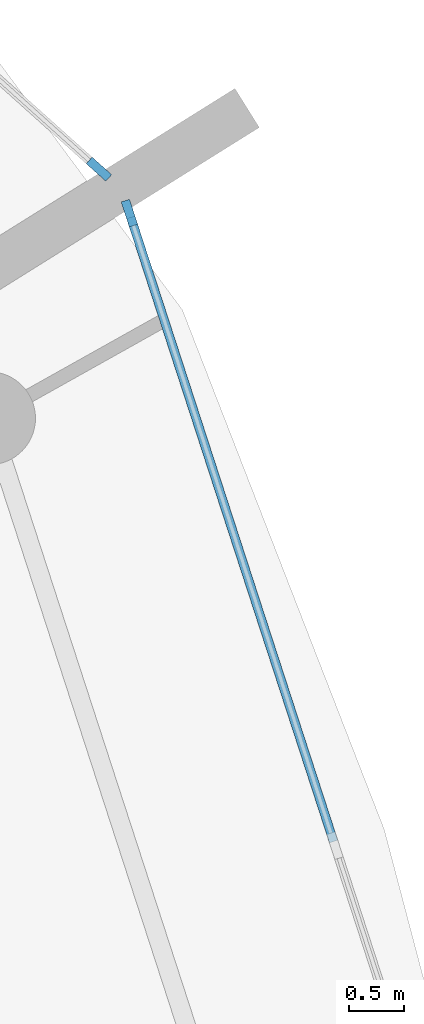
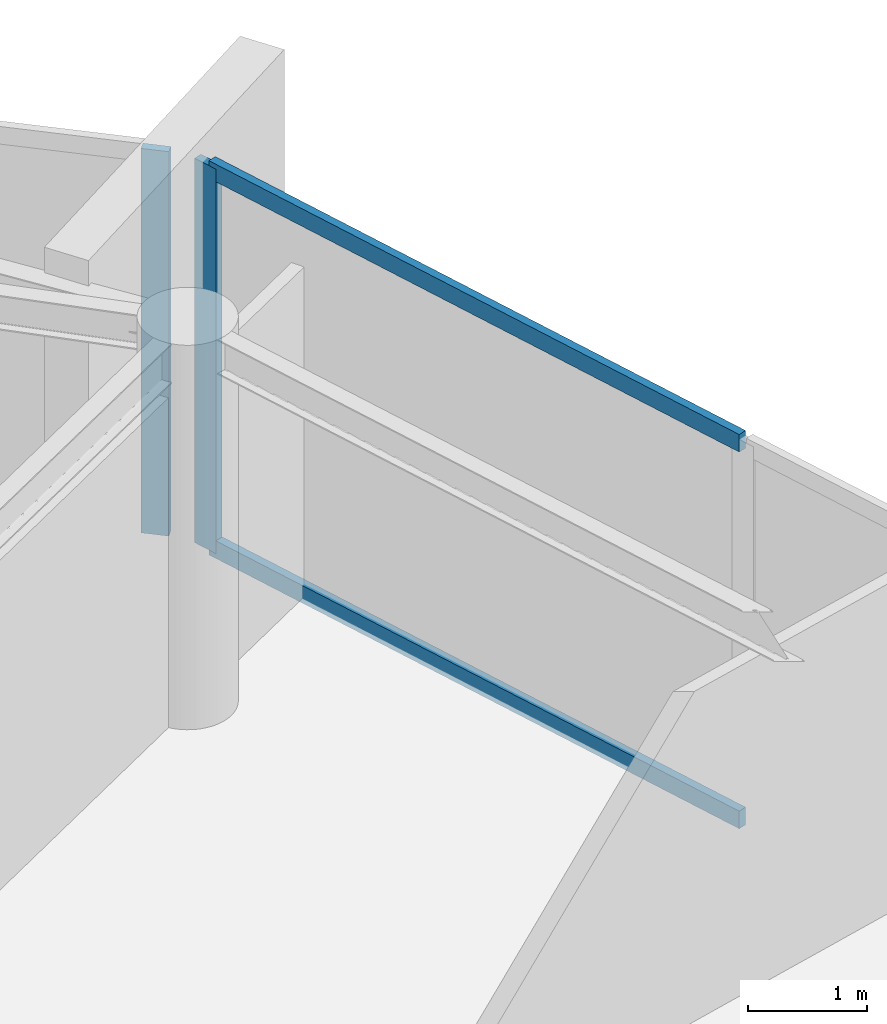
# One storey, part 8 of 20: 4 members, 2 elements without a shape of their own.
"""IFC4 building model written with IfcOpenShell, lengths in metres."""

from ifc_helpers import new_model, si_unit, direction, frame, origin, origin_2d, place, context, subcontext, project, spatial, rectangle, extrude, material, layer, layer_set, material_profile, profile_set, type_object, element, aggregate, save


model = new_model("IFC4")

# Units and contexts
model_context = context("Model", 3, precision=1e-05, world=origin(), true_north=direction((0.0, 1.0)))
body_context = subcontext(model_context, "Body", "Model", "MODEL_VIEW")
ifc_project = project(units=[si_unit("LENGTHUNIT", "METRE"), si_unit("AREAUNIT", "SQUARE_METRE"), si_unit("VOLUMEUNIT", "CUBIC_METRE"), si_unit("PLANEANGLEUNIT", "RADIAN"), si_unit("MASSUNIT", "GRAM", prefix="KILO")], contexts=[model_context])

# Site, building, storey
site_placement = place(None, origin())
site = spatial("IfcSite", under=ifc_project, at=site_placement, CompositionType="ELEMENT")
building_placement = place(site_placement, origin())
building = spatial("IfcBuilding", under=site, at=building_placement, Name="Kazma Halo Residences", CompositionType="ELEMENT")
storey_placement = place(building_placement, frame((0.0, 0.0, 317.89990234375)))
storey = spatial("IfcBuildingStorey", under=building, at=storey_placement, Name="L80", CompositionType="ELEMENT", Elevation=317.89990234375)

# Curtain wall, member
ifc_material_1 = material(Name="Aluminium AW-6063 T6 and Triple-Silver Low-E Glass", Category="aluminium")
ifc_layer = layer(ifc_material_1, 0.239990234375)
ifc_layer_set = layer_set([ifc_layer], Name="Aluminium AW-6063 T6 and Triple-Silver Low-E Glass")
curtain_wall_type = type_object("IfcCurtainWallType", Name="CW-SYS-6", PredefinedType="NOTDEFINED", material=ifc_layer_set)
curtain_wall_1_placement = place(storey_placement, origin())
curtain_wall_1 = element("IfcCurtainWall", 1, at=curtain_wall_1_placement, inside=storey, type_object=curtain_wall_type, Name="L80 unitised curtain wall B01", PredefinedType="NOTDEFINED")
ifc_material_2 = material(Name="Aluminium AW-6063 T6", Category="aluminium")
ifc_material_profile_1 = material_profile(ifc_material_2, rectangle(XDim=0.080078125, YDim=0.239990234375, at=origin_2d()), Name="CWM-80x240")
ifc_profile_set_1 = profile_set([ifc_material_profile_1], Name="Aluminium AW-6063 T6")
member_type_1 = type_object("IfcMemberType", Name="CW-SYS-6-MUL", PredefinedType="MULLION", material=ifc_profile_set_1)
member_1_placement = place(storey_placement, frame((69.968017578125, 56.013916015625, 0.0), z_axis=(0.0, 0.0, 1.0), x_axis=(-0.667757559118, -0.744378829791, 0.0)))
member_1 = element("IfcMember", 2, at=member_1_placement, type_object=member_type_1, Name="CWS-6 mullion 1", PredefinedType="MULLION", context=body_context, shape_type="SweptSolid", body=[
    extrude(rectangle(XDim=0.080078125, YDim=0.239990234375, at=origin_2d()), origin(), (0.0, 0.0, 1.0), 3.940185546875),
])
aggregate(curtain_wall_1, [member_1])

# Curtain wall, members
curtain_wall_2_placement = place(storey_placement, origin())
curtain_wall_2 = element("IfcCurtainWall", 3, at=curtain_wall_2_placement, inside=storey, type_object=curtain_wall_type, Name="L80 unitised curtain wall B16", PredefinedType="NOTDEFINED")
member_2_placement = place(storey_placement, frame((70.245849609375, 55.61328125, 0.0), z_axis=(0.0, 0.0, 1.0), x_axis=(-0.951055886462, -0.309018932797, 0.0)))
member_2 = element("IfcMember", 4, at=member_2_placement, type_object=member_type_1, Name="CWS-6 mullion 3", PredefinedType="MULLION", context=body_context, shape_type="SweptSolid", body=[
    extrude(rectangle(XDim=0.080078125, YDim=0.239990234375, at=origin_2d()), origin(), (0.0, 0.0, 1.0), 3.940185546875),
])
ifc_material_profile_2 = material_profile(ifc_material_2, rectangle(XDim=0.080078125, YDim=0.179931640625, at=origin_2d()), Name="CWT-80x180")
ifc_profile_set_2 = profile_set([ifc_material_profile_2], Name="Aluminium AW-6063 T6")
member_type_2 = type_object("IfcMemberType", Name="CW-SYS-6-TRN", PredefinedType="USERDEFINED", material=ifc_profile_set_2)
member_3_placement = place(storey_placement, frame((72.110107421875, 49.8759765625, 0.0400390625), z_axis=(-0.309019743831, 0.951055622938, 0.0), x_axis=(-0.951055622938, -0.309019743831, 0.0)))
member_3 = element("IfcMember", 5, at=member_3_placement, type_object=member_type_2, Name="CWS-6 transom 2.1", ObjectType="TRANSOM", PredefinedType="USERDEFINED", context=body_context, shape_type="SweptSolid", body=[
    extrude(rectangle(XDim=0.080078125, YDim=0.179931640625, at=origin_2d()), origin(), (0.0, 0.0, 1.0), 5.992431640625),
])
member_4_placement = place(storey_placement, frame((72.110107421875, 49.8759765625, 3.900146484375), z_axis=(-0.309019743831, 0.951055622938, 0.0), x_axis=(-0.951055622938, -0.309019743831, 0.0)))
member_4 = element("IfcMember", 6, at=member_4_placement, type_object=member_type_2, Name="CWS-6 transom 2.2", ObjectType="TRANSOM", PredefinedType="USERDEFINED", context=body_context, shape_type="SweptSolid", body=[
    extrude(rectangle(XDim=0.080078125, YDim=0.179931640625, at=origin_2d()), origin(), (0.0, 0.0, 1.0), 5.992431640625),
])
aggregate(curtain_wall_2, [member_2, member_3, member_4])

save(model, "model.ifc")
